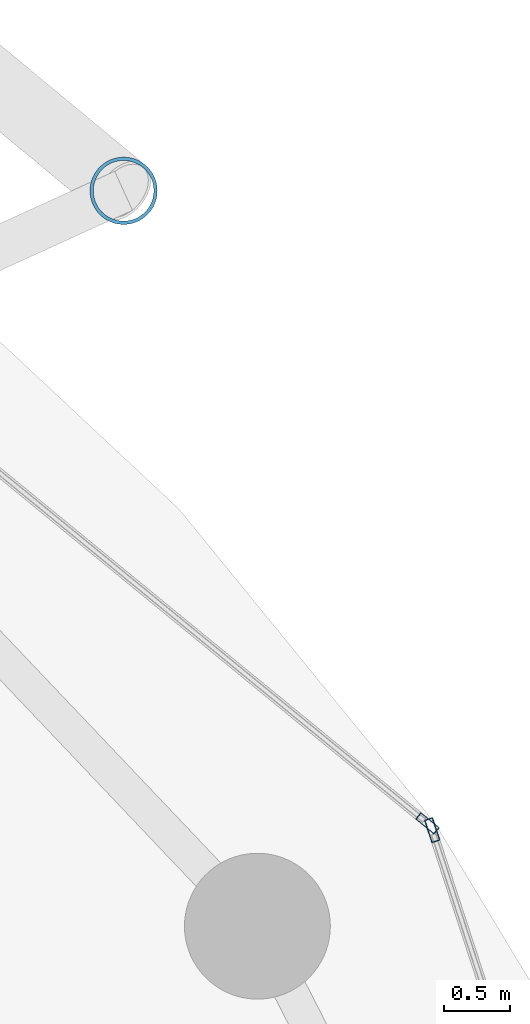
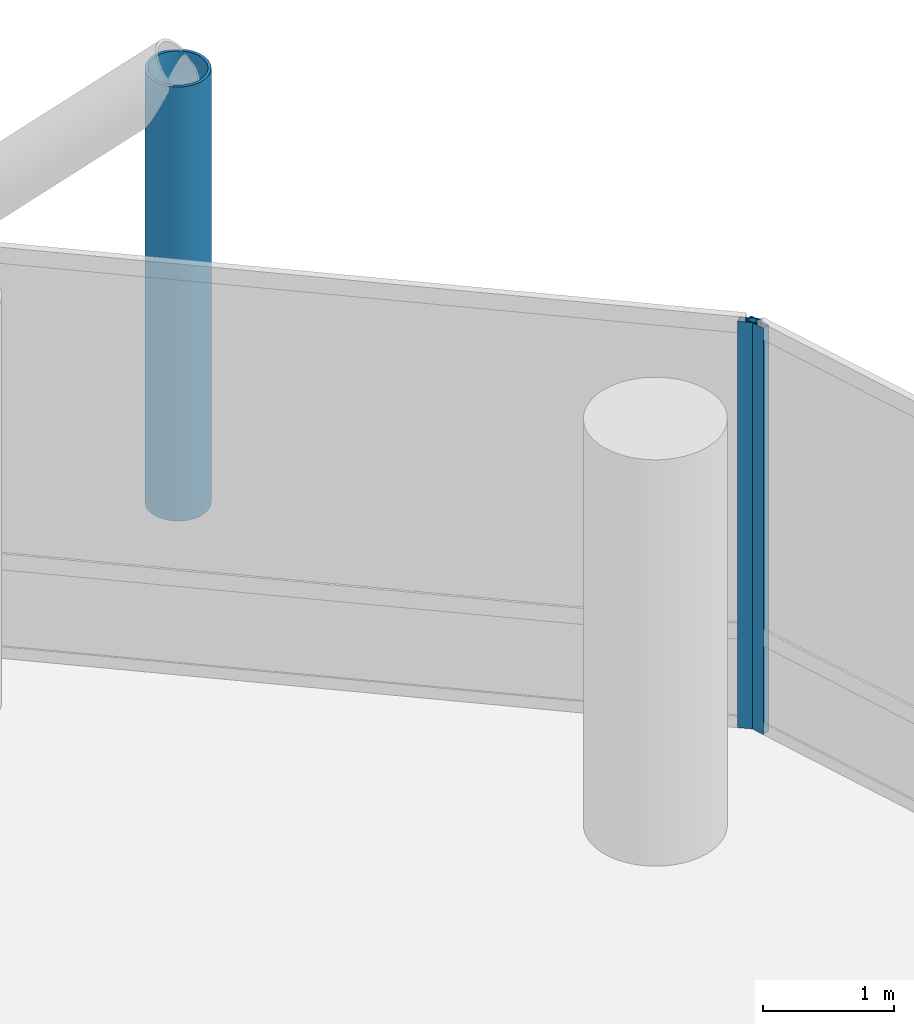
# One storey, part 19 of 24: 3 members, 2 elements without a shape of their own.
"""IFC4 building model written with IfcOpenShell, lengths in metres."""

from ifc_helpers import new_model, si_unit, direction, frame, origin, origin_2d, place, context, subcontext, project, spatial, hollow_rectangle, hollow_circle, extrude, material, layer, layer_set, material_profile, profile_set, type_object, element, aggregate, save


model = new_model("IFC4")

# Units and contexts
model_context = context("Model", 3, precision=1e-05, world=origin(), true_north=direction((0.0, 1.0)))
body_context = subcontext(model_context, "Body", "Model", "MODEL_VIEW")
ifc_project = project(units=[si_unit("LENGTHUNIT", "METRE"), si_unit("AREAUNIT", "SQUARE_METRE"), si_unit("VOLUMEUNIT", "CUBIC_METRE"), si_unit("PLANEANGLEUNIT", "RADIAN"), si_unit("MASSUNIT", "GRAM", prefix="KILO")], contexts=[model_context])

# Site, building, storey
site_placement = place(None, origin())
site = spatial("IfcSite", under=ifc_project, at=site_placement, CompositionType="ELEMENT")
building_placement = place(site_placement, origin())
building = spatial("IfcBuilding", under=site, at=building_placement, Name="Nuhasar Tower", CompositionType="ELEMENT")
storey_placement = place(building_placement, frame((0.0, 0.0, 41.25)))
storey = spatial("IfcBuildingStorey", under=building, at=storey_placement, Name="L09", CompositionType="ELEMENT", Elevation=41.25)

# Curtain wall, member
ifc_material_1 = material(Name="Aluminium 6063-T6", Category="aluminium")
ifc_layer = layer(ifc_material_1, 0.199951171875)
ifc_layer_set = layer_set([ifc_layer], Name="Aluminium 6063-T6")
curtain_wall_type = type_object("IfcCurtainWallType", Name="CW-Z1-OFF", PredefinedType="NOTDEFINED", material=ifc_layer_set)
curtain_wall_1_placement = place(storey_placement, origin())
curtain_wall_1 = element("IfcCurtainWall", 1, at=curtain_wall_1_placement, inside=storey, type_object=curtain_wall_type, Name="L09 Unitised Curtain Wall 01", PredefinedType="NOTDEFINED")
ifc_material_profile_1 = material_profile(ifc_material_1, hollow_rectangle(XDim=0.06494140625, YDim=0.179931640625, WallThickness=0.0048828125, at=origin_2d()), Name="CWM-2")
ifc_profile_set_1 = profile_set([ifc_material_profile_1], Name="Aluminium 6063-T6")
member_type_1 = type_object("IfcMemberType", Name="CW-MUL-S2", PredefinedType="MULLION", material=ifc_profile_set_1)
member_1_placement = place(storey_placement, frame((62.01220703125, 37.649169921875, 0.0), z_axis=(0.0, 0.0, 1.0), x_axis=(-0.950467534571, -0.310823849997, 0.0)))
member_1 = element("IfcMember", 2, at=member_1_placement, type_object=member_type_1, Name="CW-Z1 mullion 2", PredefinedType="MULLION", context=body_context, shape_type="SweptSolid", body=[
    extrude(hollow_rectangle(XDim=0.06494140625, YDim=0.179931640625, WallThickness=0.0048828125, at=origin_2d()), origin(), (0.0, 0.0, 1.0), 3.7900390625),
])
aggregate(curtain_wall_1, [member_1])

curtain_wall_2_placement = place(storey_placement, origin())
curtain_wall_2 = element("IfcCurtainWall", 3, at=curtain_wall_2_placement, inside=storey, type_object=curtain_wall_type, Name="L09 Unitised Curtain Wall 02", PredefinedType="NOTDEFINED")
member_2_placement = place(storey_placement, frame((61.976806640625, 37.70068359375, 0.0), z_axis=(0.0, 0.0, 1.0), x_axis=(-0.633744593376, -0.773542364946, 0.0)))
member_2 = element("IfcMember", 4, at=member_2_placement, type_object=member_type_1, Name="CW-Z1 mullion 1", PredefinedType="MULLION", context=body_context, shape_type="SweptSolid", body=[
    extrude(hollow_rectangle(XDim=0.06494140625, YDim=0.179931640625, WallThickness=0.0048828125, at=origin_2d()), origin(), (0.0, 0.0, 1.0), 3.7900390625),
])
aggregate(curtain_wall_2, [member_2])

# Member
ifc_material_2 = material(Name="Steel S460", Category="steel")
ifc_material_profile_2 = material_profile(ifc_material_2, hollow_circle(Radius=0.25390625, WallThickness=0.025390625, at=origin_2d()), Name="HSS508X25.4")
ifc_profile_set_2 = profile_set([ifc_material_profile_2], Name="Steel S460")
member_type_2 = type_object("IfcMemberType", Name="EXO-BRONZE-508", PredefinedType="BRACE", material=ifc_profile_set_2)
member_3_placement = place(storey_placement, frame((59.68505859375, 42.470947265625, 0.0), z_axis=(0.0, 0.0, 1.0), x_axis=(1.0, 0.0, 0.0)))
element("IfcMember", 5, at=member_3_placement, inside=storey, type_object=member_type_2, Name="L09 Exoskeleton Chord Column EC-02A", PredefinedType="BRACE", context=body_context, shape_type="SweptSolid", body=[
    extrude(hollow_circle(Radius=0.25390625, WallThickness=0.025390625, at=origin_2d()), origin(), (0.0, 0.0, 1.0), 4.050048828125),
])

save(model, "model.ifc")
